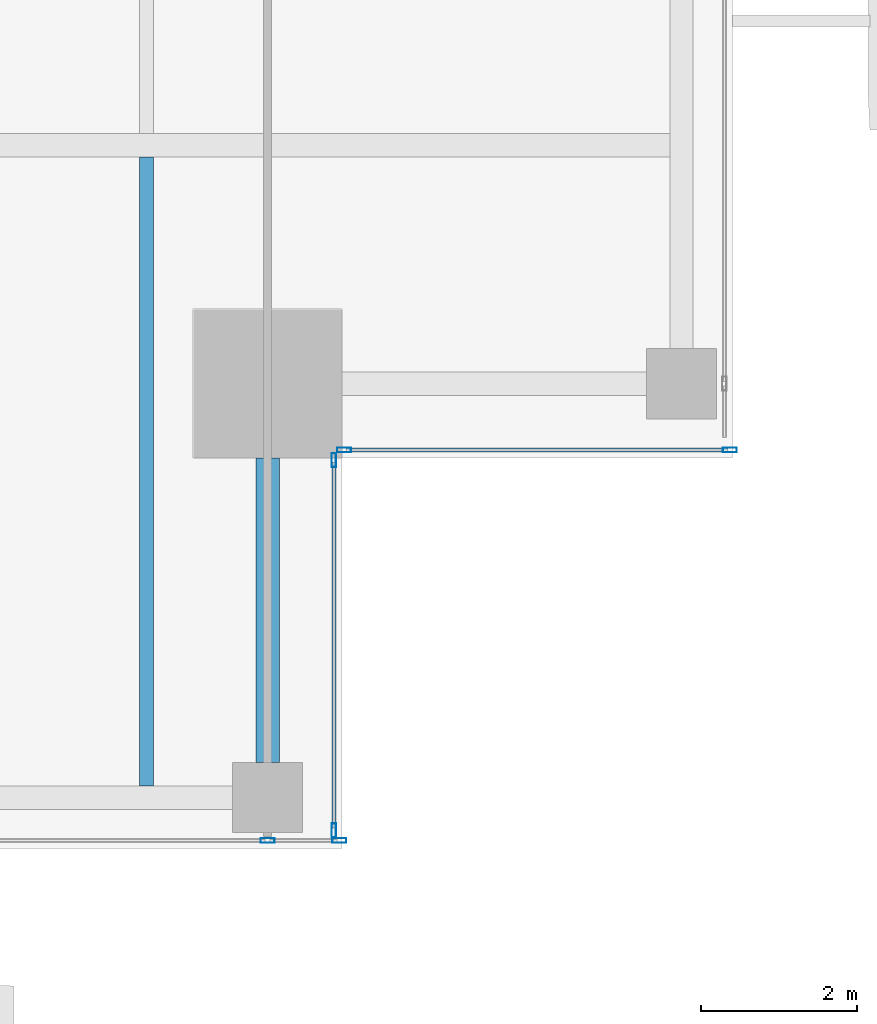
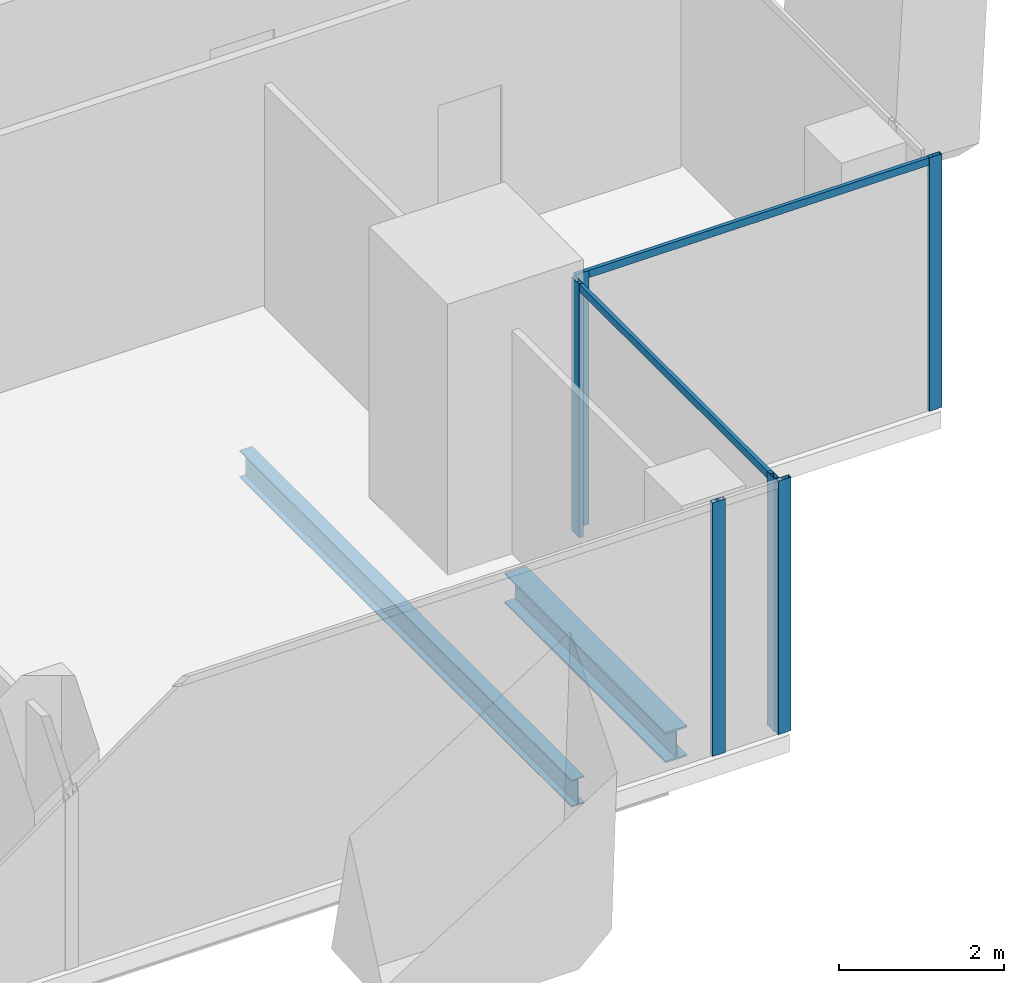
# One storey, part 9 of 36: 8 members, 2 beams, 3 elements without a shape of their own.
"""IFC4 building model written with IfcOpenShell, lengths in metres."""

from ifc_helpers import new_model, si_unit, direction, frame, origin, origin_2d, place, context, subcontext, project, spatial, hollow_rectangle, i_section, extrude, source, transform, mapped, material, material_profile, profile_set, type_object, element, aggregate, save


model = new_model("IFC4")

# Units and contexts
model_context = context("Model", 3, precision=1e-05, world=origin(), true_north=direction((0.0, 1.0)))
body_context = subcontext(model_context, "Body", "Model", "MODEL_VIEW")
ifc_project = project(units=[si_unit("LENGTHUNIT", "METRE"), si_unit("AREAUNIT", "SQUARE_METRE"), si_unit("VOLUMEUNIT", "CUBIC_METRE"), si_unit("PLANEANGLEUNIT", "RADIAN"), si_unit("MASSUNIT", "GRAM", prefix="KILO")], contexts=[model_context])

# Site, building, storey
site_placement = place(None, origin())
site = spatial("IfcSite", under=ifc_project, at=site_placement, CompositionType="ELEMENT")
building_placement = place(site_placement, origin())
building = spatial("IfcBuilding", under=site, at=building_placement, Name="Khomas Fold Tower", CompositionType="ELEMENT")
storey_placement = place(building_placement, frame((0.0, 0.0, 238.199951171875)))
storey = spatial("IfcBuildingStorey", under=building, at=storey_placement, Name="L53", CompositionType="ELEMENT", Elevation=238.199951171875)

# Beams
ifc_material_1 = material(Name="Steel S355", Category="steel")
ifc_material_profile_1 = material_profile(ifc_material_1, i_section(OverallWidth=0.300048828125, OverallDepth=0.449951171875, WebThickness=0.013916015625, FlangeThickness=0.02587890625, at=origin_2d()), Name="HE 450 B")
ifc_profile_set_1 = profile_set([ifc_material_profile_1], Name="Steel S355")
beam_type_1 = type_object("IfcBeamType", Name="HE 450 B spandrel SB4", PredefinedType="SPANDREL", material=ifc_profile_set_1)
shared_shape_1 = source(origin(), body_context, "Body", "SweptSolid", [
    extrude(i_section(OverallWidth=0.300048828125, OverallDepth=0.449951171875, WebThickness=0.013916015625, FlangeThickness=0.02587890625, at=origin_2d()), origin(), (0.0, 0.0, 1.0), 3.89990234375),
])
beam_1_placement = place(storey_placement, frame((43.550048828125, 5.60009765625, -0.474853515625), z_axis=(0.0, 1.0, 0.0), x_axis=(-1.0, 0.0, 0.0)))
element("IfcBeam", 1, at=beam_1_placement, inside=storey, type_object=beam_type_1, Name="SB4", PredefinedType="SPANDREL", context=body_context, shape_type="MappedRepresentation", body=[
    mapped(shared_shape_1, transform((0.0, 0.0, 0.0))),
])
ifc_material_2 = material(Name="Steel S355", Category="steel")
ifc_material_profile_2 = material_profile(ifc_material_2, i_section(OverallWidth=0.179931640625, OverallDepth=0.39990234375, WebThickness=0.008544921875, FlangeThickness=0.013427734375, at=origin_2d()), Name="IPE 400")
ifc_profile_set_2 = profile_set([ifc_material_profile_2], Name="Steel S355")
beam_type_2 = type_object("IfcBeamType", Name="IPE 400 beam JB3", PredefinedType="BEAM", material=ifc_profile_set_2)
shared_shape_2 = source(origin(), body_context, "Body", "SweptSolid", [
    extrude(i_section(OverallWidth=0.179931640625, OverallDepth=0.39990234375, WebThickness=0.008544921875, FlangeThickness=0.013427734375, at=origin_2d()), origin(), (0.0, 0.0, 1.0), 8.050048828125),
])
beam_2_placement = place(storey_placement, frame((42.0, 5.300048828125, -0.449951171875), z_axis=(0.0, 1.0, 0.0), x_axis=(-1.0, 0.0, 0.0)))
element("IfcBeam", 2, at=beam_2_placement, inside=storey, type_object=beam_type_2, Name="JB3", PredefinedType="BEAM", context=body_context, shape_type="MappedRepresentation", body=[
    mapped(shared_shape_2, transform((0.0, 0.0, 0.0))),
])

# Curtain wall, members
ifc_material_3 = material(Name="Aluminium framed double glazing", Category="aluminium")
curtain_wall_type = type_object("IfcCurtainWallType", Name="SK-Unitised clear-glass wall, office floors CW2", PredefinedType="NOTDEFINED", material=ifc_material_3)
curtain_wall_1_placement = place(storey_placement, origin())
curtain_wall_1 = element("IfcCurtainWall", 3, at=curtain_wall_1_placement, inside=storey, type_object=curtain_wall_type, Name="CW2 run L53 00-0", PredefinedType="NOTDEFINED")
ifc_material_4 = material(Name="Aluminium", Category="aluminium")
ifc_material_profile_3 = material_profile(ifc_material_4, hollow_rectangle(XDim=0.06005859375, YDim=0.179931640625, WallThickness=0.00390625, at=origin_2d()), Name="SK-Unitised clear-glass wall, office floors mullion CW2-M")
ifc_profile_set_3 = profile_set([ifc_material_profile_3], Name="Aluminium")
member_type_1 = type_object("IfcMemberType", Name="SK-Unitised clear-glass wall, office floors mullion CW2-M", PredefinedType="MULLION", material=ifc_profile_set_3)
shared_shape_3 = source(origin(), body_context, "Body", "SweptSolid", [
    extrude(hollow_rectangle(XDim=0.06005859375, YDim=0.179931640625, WallThickness=0.00390625, at=origin_2d()), origin(), (0.0, 0.0, 1.0), 3.75),
])
member_1_placement = place(storey_placement, frame((43.550048828125, 4.60009765625, 0.0), z_axis=(0.0, 0.0, 1.0), x_axis=(0.0, 1.0, 0.0)))
member_1 = element("IfcMember", 4, at=member_1_placement, type_object=member_type_1, Name="CW2 mullion 6", PredefinedType="MULLION", context=body_context, shape_type="MappedRepresentation", body=[
    mapped(shared_shape_3, transform((0.0, 0.0, 0.0))),
])
member_2_placement = place(storey_placement, frame((44.469970703125, 4.60009765625, 0.0), z_axis=(0.0, 0.0, 1.0), x_axis=(0.0, 1.0, 0.0)))
member_2 = element("IfcMember", 5, at=member_2_placement, type_object=member_type_1, Name="CW2 mullion 7", PredefinedType="MULLION", context=body_context, shape_type="MappedRepresentation", body=[
    mapped(shared_shape_3, transform((0.0, 0.0, 0.0))),
])
aggregate(curtain_wall_1, [member_1, member_2])

curtain_wall_2_placement = place(storey_placement, origin())
curtain_wall_2 = element("IfcCurtainWall", 6, at=curtain_wall_2_placement, inside=storey, type_object=curtain_wall_type, Name="CW2 corner return L53 01", PredefinedType="NOTDEFINED")
member_3_placement = place(storey_placement, frame((44.39990234375, 4.72998046875, 0.0), z_axis=(0.0, 0.0, 1.0), x_axis=(-1.0, 0.0, 0.0)))
member_3 = element("IfcMember", 7, at=member_3_placement, type_object=member_type_1, Name="CW2 mullion 1", PredefinedType="MULLION", context=body_context, shape_type="MappedRepresentation", body=[
    mapped(shared_shape_3, transform((0.0, 0.0, 0.0))),
])
member_4_placement = place(storey_placement, frame((44.39990234375, 9.469970703125, 0.0), z_axis=(0.0, 0.0, 1.0), x_axis=(-1.0, 0.0, 0.0)))
member_4 = element("IfcMember", 8, at=member_4_placement, type_object=member_type_1, Name="CW2 mullion 2", PredefinedType="MULLION", context=body_context, shape_type="MappedRepresentation", body=[
    mapped(shared_shape_3, transform((0.0, 0.0, 0.0))),
])

curtain_wall_3_placement = place(storey_placement, origin())
curtain_wall_3 = element("IfcCurtainWall", 9, at=curtain_wall_3_placement, inside=storey, type_object=curtain_wall_type, Name="CW2 corner return L53 02", PredefinedType="NOTDEFINED")
member_5_placement = place(storey_placement, frame((44.530029296875, 9.60009765625, 0.0), z_axis=(0.0, 0.0, 1.0), x_axis=(0.0, 1.0, 0.0)))
member_5 = element("IfcMember", 10, at=member_5_placement, type_object=member_type_1, Name="CW2 mullion 1", PredefinedType="MULLION", context=body_context, shape_type="MappedRepresentation", body=[
    mapped(shared_shape_3, transform((0.0, 0.0, 0.0))),
])
member_6_placement = place(storey_placement, frame((49.469970703125, 9.60009765625, 0.0), z_axis=(0.0, 0.0, 1.0), x_axis=(0.0, 1.0, 0.0)))
member_6 = element("IfcMember", 11, at=member_6_placement, type_object=member_type_1, Name="CW2 mullion 2", PredefinedType="MULLION", context=body_context, shape_type="MappedRepresentation", body=[
    mapped(shared_shape_3, transform((0.0, 0.0, 0.0))),
])

# Member
ifc_material_5 = material(Name="Aluminium", Category="aluminium")
ifc_material_profile_4 = material_profile(ifc_material_5, hollow_rectangle(XDim=0.050048828125, YDim=0.110107421875, WallThickness=0.00390625, at=origin_2d()), Name="SK-Unitised clear-glass wall, office floors transom CW2-T")
ifc_profile_set_4 = profile_set([ifc_material_profile_4], Name="Aluminium")
member_type_2 = type_object("IfcMemberType", Name="SK-Unitised clear-glass wall, office floors transom CW2-T", PredefinedType="USERDEFINED", material=ifc_profile_set_4)
shared_shape_4 = source(origin(), body_context, "Body", "SweptSolid", [
    extrude(hollow_rectangle(XDim=0.050048828125, YDim=0.110107421875, WallThickness=0.00390625, at=origin_2d()), origin(), (0.0, 0.0, 1.0), 4.679931640625),
])
member_7_placement = place(storey_placement, frame((44.39990234375, 4.760009765625, 3.695068359375), z_axis=(0.0, 1.0, 0.0), x_axis=(-1.0, 0.0, 0.0)))
member_7 = element("IfcMember", 12, at=member_7_placement, type_object=member_type_2, Name="CW2 transom 1", ObjectType="TRANSOM", PredefinedType="USERDEFINED", context=body_context, shape_type="MappedRepresentation", body=[
    mapped(shared_shape_4, transform((0.0, 0.0, 0.0))),
])

aggregate(curtain_wall_2, [member_3, member_4, member_7])

shared_shape_5 = source(origin(), body_context, "Body", "SweptSolid", [
    extrude(hollow_rectangle(XDim=0.050048828125, YDim=0.110107421875, WallThickness=0.00390625, at=origin_2d()), origin(), (0.0, 0.0, 1.0), 4.8798828125),
])
member_8_placement = place(storey_placement, frame((44.56005859375, 9.60009765625, 3.695068359375), z_axis=(1.0, 0.0, 0.0), x_axis=(0.0, 1.0, 0.0)))
member_8 = element("IfcMember", 13, at=member_8_placement, type_object=member_type_2, Name="CW2 transom 1", ObjectType="TRANSOM", PredefinedType="USERDEFINED", context=body_context, shape_type="MappedRepresentation", body=[
    mapped(shared_shape_5, transform((0.0, 0.0, 0.0))),
])

aggregate(curtain_wall_3, [member_5, member_6, member_8])

save(model, "model.ifc")
